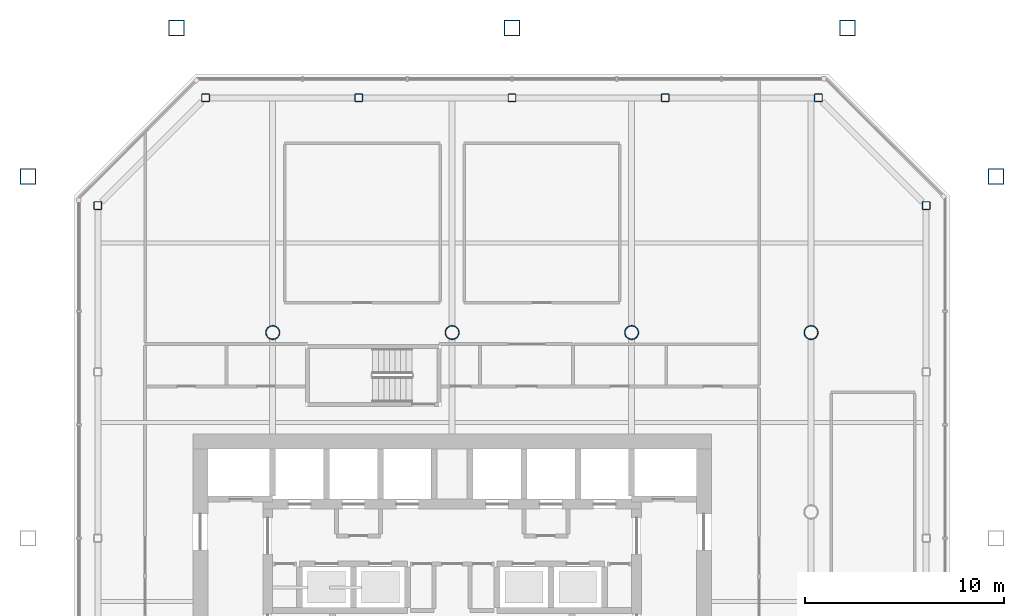
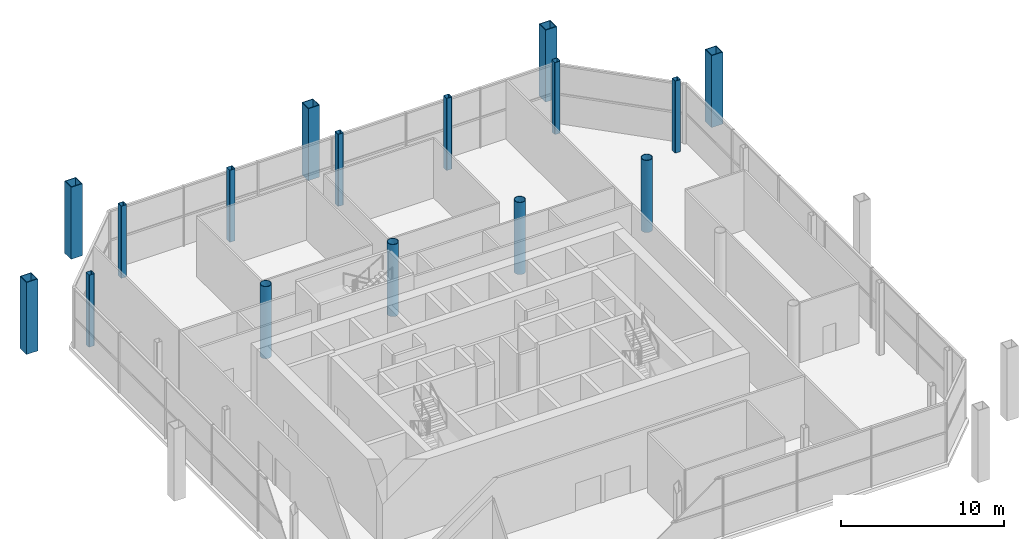
# One storey, part 2 of 12: 16 columns.
"""IFC4 building model written with IfcOpenShell, lengths in metres."""

import ifcopenshell
import ifcopenshell.guid

model = None  # the IFC model being written
_history = None  # IfcOwnerHistory: only IFC2X3 demands one
_inside = {}  # id of a spatial element -> (the spatial element, [elements in it])
_under = {}  # id of a project, library or spatial element -> (it, [spatial elements below it])
_declared = {}  # id of a project -> (the project, [libraries it declares])
_typed = {}  # id of a type object -> (the type object, [elements of that type])
_made_of = {}  # id of a material, layer set ... -> (it, [elements and type objects made of it])


def new_model(schema):
    """Start an empty IFC model of exactly this schema.

    Asked for "IFC4X3", IfcOpenShell would pick the latest addendum, in which some entities
    have other attributes; the version numbers below select the first issue.
    IFC2X3 requires an IfcOwnerHistory on every rooted entity: one is made here for all.
    """
    global model, _history
    if schema == "IFC4X3":
        model = ifcopenshell.file(schema_version=(4, 3, 0, 0))
    else:
        model = ifcopenshell.file(schema=schema)
    _inside.clear()
    _under.clear()
    _declared.clear()
    _typed.clear()
    _made_of.clear()
    _history = None
    if model.schema == "IFC2X3":
        org = make("IfcOrganization", Name="unknown")
        user = make(
            "IfcPersonAndOrganization",
            ThePerson=make("IfcPerson", FamilyName="unknown"),
            TheOrganization=org,
        )
        app = make(
            "IfcApplication",
            ApplicationDeveloper=org,
            Version="unknown",
            ApplicationFullName="unknown",
            ApplicationIdentifier="unknown",
        )
        _history = make(
            "IfcOwnerHistory",
            OwningUser=user,
            OwningApplication=app,
            ChangeAction="ADDED",
            CreationDate=0,
        )
    return model


def make(cls, **values):
    """One entity of the class cls with the attributes given. An attribute that is None is left unset."""
    return model.create_entity(
        cls, **{name: value for name, value in values.items() if value is not None}
    )


def rooted(cls, **values):
    """An entity with a GlobalId (a new one), such as an element, a storey or a relation."""
    return make(cls, GlobalId=ifcopenshell.guid.new(), OwnerHistory=_history, **values)


def si_unit(unit_type, name, prefix=None):
    """IfcSIUnit, for example si_unit("LENGTHUNIT", "METRE", prefix="MILLI")."""
    return make("IfcSIUnit", UnitType=unit_type, Prefix=prefix, Name=name)


def assignment(units):
    """IfcUnitAssignment: the units of a project."""
    return None if units is None else make("IfcUnitAssignment", Units=units)


def point(xyz):
    """IfcCartesianPoint."""
    return None if xyz is None else make("IfcCartesianPoint", Coordinates=xyz)


def direction(xyz):
    """IfcDirection."""
    return None if xyz is None else make("IfcDirection", DirectionRatios=xyz)


def frame(location, z_axis=None, x_axis=None):
    """IfcAxis2Placement3D, a coordinate frame: its origin and axes. An axis left out is left unset."""
    return make(
        "IfcAxis2Placement3D",
        Location=point(location),
        Axis=direction(z_axis),
        RefDirection=direction(x_axis),
    )


def frame_2d(location, x_axis=None):
    """IfcAxis2Placement2D, a coordinate frame in the plane: its origin and x axis."""
    return make(
        "IfcAxis2Placement2D", Location=point(location), RefDirection=direction(x_axis)
    )


def origin():
    """The frame at (0, 0, 0) with its axes left unset."""
    return frame((0.0, 0.0, 0.0))


def origin_2d():
    """The frame at (0, 0) in the plane with its x axis left unset."""
    return frame_2d((0.0, 0.0))


def place(relative_to, where):
    """IfcLocalPlacement: puts the frame where relative to a parent placement (None: the world)."""
    return make(
        "IfcLocalPlacement", PlacementRelTo=relative_to, RelativePlacement=where
    )


def context(
    kind, dimensions, precision=None, world=None, true_north=None, identifier=None
):
    """IfcGeometricRepresentationContext, for example the 3D "Model" context."""
    return make(
        "IfcGeometricRepresentationContext",
        ContextIdentifier=identifier,
        ContextType=kind,
        CoordinateSpaceDimension=dimensions,
        Precision=precision,
        WorldCoordinateSystem=world,
        TrueNorth=true_north,
    )


def subcontext(parent, identifier, kind, view, scale=None):
    """IfcGeometricRepresentationSubContext, for example "Body" below "Model"."""
    return make(
        "IfcGeometricRepresentationSubContext",
        ContextIdentifier=identifier,
        ContextType=kind,
        ParentContext=parent,
        TargetScale=scale,
        TargetView=view,
    )


def project(units=None, contexts=None):
    """IfcProject with its units and contexts."""
    return rooted(
        "IfcProject",
        Name="project",
        RepresentationContexts=contexts,
        UnitsInContext=assignment(units),
    )


def spatial(cls, under=None, at=None, **own):
    """A site, building, storey or space (cls), placed at a placement, below another one or the project."""
    s = rooted(cls, ObjectPlacement=at, **own)
    if under is not None:
        _under.setdefault(under.id(), (under, []))[1].append(s)
    return s


def profile(cls, at=None, kind="AREA", **sizes):
    """A parametric profile (cls). Its sizes go by their IFC names, for example OverallWidth=200.0."""
    return make(cls, ProfileType=kind, Position=at, **sizes)


def hollow_rectangle(**sizes):
    """IfcRectangleHollowProfileDef."""
    return profile("IfcRectangleHollowProfileDef", **sizes)


def hollow_circle(**sizes):
    """IfcCircleHollowProfileDef."""
    return profile("IfcCircleHollowProfileDef", **sizes)


def extrude(swept, where, along, depth):
    """IfcExtrudedAreaSolid: the profile swept, set in the frame where, extruded along a direction by depth."""
    return make(
        "IfcExtrudedAreaSolid",
        SweptArea=swept,
        Position=where,
        ExtrudedDirection=direction(along),
        Depth=depth,
    )


def shape(context_of_items, identifier, shape_type, items):
    """IfcShapeRepresentation: the items that make up one representation, for example the "Body"."""
    return make(
        "IfcShapeRepresentation",
        ContextOfItems=context_of_items,
        RepresentationIdentifier=identifier,
        RepresentationType=shape_type,
        Items=items,
    )


def material(Name=None, Category=None):
    """IfcMaterial."""
    return make("IfcMaterial", Name=Name, Category=Category)


def material_profile(
    of_material, cross_section, Name=None, Category=None, Priority=None
):
    """IfcMaterialProfile: a cross section and its material."""
    return make(
        "IfcMaterialProfile",
        Name=Name,
        Material=of_material,
        Profile=cross_section,
        Priority=Priority,
        Category=Category,
    )


def profile_set(profiles, Name=None, composite=None):
    """IfcMaterialProfileSet."""
    return make(
        "IfcMaterialProfileSet",
        Name=Name,
        MaterialProfiles=profiles,
        CompositeProfile=composite,
    )


def made_of(thing, what):
    """Note that an element or type object is made of a material, layer set ...; save() writes the relation."""
    if what is not None:
        _made_of.setdefault(what.id(), (what, []))[1].append(thing)
    return thing


def type_object(cls, material=None, **own):
    """A type object (cls), such as IfcWallType, which elements share."""
    return made_of(rooted(cls, **own), material)


def element(
    cls,
    number,
    at=None,
    inside=None,
    cuts=None,
    type_object=None,
    material=None,
    context=None,
    identifier="Body",
    shape_type=None,
    held_by="IfcProductDefinitionShape",
    body=None,
    shapes=None,
    **own,
):
    """One element of the class cls, such as IfcWall. Its Tag is "e" and its number.

    at: its placement. inside: the storey or other place that contains it. cuts: it is an
    opening in that element (IfcRelVoidsElement). A single representation is given by context,
    identifier, shape_type and body (its items); several are given by shapes. held_by: the class
    of the entity that holds the representations. save() writes the other relations.
    """
    e = rooted(cls, Tag="e%d" % number, ObjectPlacement=at, **own)
    if body is not None:
        shapes = [shape(context, identifier, shape_type, body)]
    if shapes is not None:
        e.Representation = make(held_by, Representations=shapes)
    if inside is not None:
        _inside.setdefault(inside.id(), (inside, []))[1].append(e)
    if cuts is not None:
        rooted(
            "IfcRelVoidsElement", RelatingBuildingElement=cuts, RelatedOpeningElement=e
        )
    if type_object is not None:
        _typed.setdefault(type_object.id(), (type_object, []))[1].append(e)
    return made_of(e, material)


def aggregate(whole, parts):
    """IfcRelAggregates: a whole, such as a stair, and the parts it consists of."""
    return rooted("IfcRelAggregates", RelatingObject=whole, RelatedObjects=parts)


def save(model, path):
    """Write the relations noted so far, then the file.

    IfcRelAggregates (storeys below a building ...), IfcRelContainedInSpatialStructure (elements
    in a storey), IfcRelDefinesByType, IfcRelAssociatesMaterial and IfcRelDeclares: one each for
    every whole, place, type object, material and project.
    """
    for whole, parts in _under.values():
        aggregate(whole, parts)
    for where, things in _inside.values():
        rooted(
            "IfcRelContainedInSpatialStructure",
            RelatedElements=things,
            RelatingStructure=where,
        )
    for kind, things in _typed.values():
        rooted("IfcRelDefinesByType", RelatedObjects=things, RelatingType=kind)
    for what, things in _made_of.values():
        rooted("IfcRelAssociatesMaterial", RelatedObjects=things, RelatingMaterial=what)
    for by, libraries in _declared.values():
        rooted("IfcRelDeclares", RelatingContext=by, RelatedDefinitions=libraries)
    model.write(path)


model = new_model("IFC4")

# Units and contexts
model_context = context("Model", 3, precision=1e-05, world=origin(), true_north=direction((0.0, 1.0)))
body_context = subcontext(model_context, "Body", "Model", "MODEL_VIEW")
ifc_project = project(units=[si_unit("LENGTHUNIT", "METRE"), si_unit("AREAUNIT", "SQUARE_METRE"), si_unit("VOLUMEUNIT", "CUBIC_METRE"), si_unit("PLANEANGLEUNIT", "RADIAN"), si_unit("MASSUNIT", "GRAM", prefix="KILO")], contexts=[model_context])

# Site, building, storey
site_placement = place(None, origin())
site = spatial("IfcSite", under=ifc_project, at=site_placement, CompositionType="ELEMENT")
building_placement = place(site_placement, origin())
building = spatial("IfcBuilding", under=site, at=building_placement, Name="Tskaro Facet Tower", CompositionType="ELEMENT")
storey_placement = place(building_placement, frame((0.0, 0.0, 162.300048828125)))
storey = spatial("IfcBuildingStorey", under=building, at=storey_placement, Name="L40", CompositionType="ELEMENT", Elevation=162.300048828125)

# Columns
ifc_material_1 = material(Name="Steel S460M", Category="steel")
ifc_material_profile_1 = material_profile(ifc_material_1, hollow_rectangle(XDim=0.800048828125, YDim=0.800048828125, WallThickness=0.050048828125, at=origin_2d()), Name="BOX 800x800x50")
ifc_profile_set_1 = profile_set([ifc_material_profile_1], Name="Steel S460M")
column_type_1 = type_object("IfcColumnType", Name="BOX 800x800x50 mega column", PredefinedType="COLUMN", material=ifc_profile_set_1)
for number, where, z_axis, x_axis, name in (
    (1, (27.27587890625, 16.819091796875, 0.0), (0.0, 0.0, 1.0), (1.0, 0.0, 0.0), "BOX 800x800x50 MC06/3T"),
    (2, (19.819091796875, 24.27587890625, 0.0), (0.0, 0.0, 1.0), (1.0, 0.0, 0.0), "BOX 800x800x50 MC07/3T"),
    (3, (3.0, 24.27587890625, 0.0), (0.0, 0.0, 1.0), (1.0, 0.0, 0.0), "BOX 800x800x50 MC08/3T"),
    (4, (-13.819091796875, 24.27587890625, 0.0), (0.0, 0.0, 1.0), (1.0, 0.0, 0.0), "BOX 800x800x50 MC09/3T"),
    (5, (-21.27587890625, 16.819091796875, 0.0), (0.0, 0.0, 1.0), (1.0, 0.0, 0.0), "BOX 800x800x50 MC10/3T"),
):
    element("IfcColumn", number, at=place(storey_placement, frame(where, z_axis=z_axis, x_axis=x_axis)), inside=storey, type_object=column_type_1, Name=name, PredefinedType="COLUMN", context=body_context, shape_type="SweptSolid", body=[
        extrude(hollow_rectangle(XDim=0.800048828125, YDim=0.800048828125, WallThickness=0.050048828125, at=origin_2d()), origin(), (0.0, 0.0, 1.0), 5.39990234375),
    ])
ifc_material_2 = material(Name="Steel S355J2H", Category="steel")
ifc_material_profile_2 = material_profile(ifc_material_2, hollow_circle(Radius=0.35546875, WallThickness=0.031982421875, at=origin_2d()), Name="CHS 711x32")
ifc_profile_set_2 = profile_set([ifc_material_profile_2], Name="Steel S355J2H")
column_type_2 = type_object("IfcColumnType", Name="CHS 711x32 interior column", PredefinedType="COLUMN", material=ifc_profile_set_2)
for number, where, z_axis, x_axis, name in (
    (6, (-9.0, 9.0, 0.0), (0.0, 0.0, 1.0), (1.0, 0.0, 0.0), "CHS 711x32 C3E/3"),
    (7, (0.0, 9.0, 0.0), (0.0, 0.0, 1.0), (1.0, 0.0, 0.0), "CHS 711x32 C4E/3"),
    (8, (9.0, 9.0, 0.0), (0.0, 0.0, 1.0), (1.0, 0.0, 0.0), "CHS 711x32 C5E/3"),
    (9, (18.0, 9.0, 0.0), (0.0, 0.0, 1.0), (1.0, 0.0, 0.0), "CHS 711x32 C6E/3"),
):
    element("IfcColumn", number, at=place(storey_placement, frame(where, z_axis=z_axis, x_axis=x_axis)), inside=storey, type_object=column_type_2, Name=name, PredefinedType="COLUMN", context=body_context, shape_type="SweptSolid", body=[
        extrude(hollow_circle(Radius=0.35546875, WallThickness=0.031982421875, at=origin_2d()), origin(), (0.0, 0.0, 1.0), 5.39990234375),
    ])
ifc_material_profile_3 = material_profile(ifc_material_2, hollow_rectangle(XDim=0.39990234375, YDim=0.39990234375, WallThickness=0.02001953125, InnerFilletRadius=0.030029296875, OuterFilletRadius=0.050048828125, at=origin_2d()), Name="SHS 400x400x20")
ifc_profile_set_3 = profile_set([ifc_material_profile_3], Name="Steel S355J2H")
column_type_3 = type_object("IfcColumnType", Name="SHS 400x400x20 ring column", PredefinedType="COLUMN", material=ifc_profile_set_3)
for number, where, z_axis, x_axis, name in (
    (10, (23.77392578125, 15.367919921875, 0.0), (0.0, 0.0, 1.0), (1.0, 0.0, 0.0), "SHS 400x400x20 RNE-1/3"),
    (11, (18.367919921875, 20.77392578125, 0.0), (0.0, 0.0, 1.0), (1.0, 0.0, 0.0), "SHS 400x400x20 RN-1/3"),
    (12, (10.68408203125, 20.77392578125, 0.0), (0.0, 0.0, 1.0), (1.0, 0.0, 0.0), "SHS 400x400x20 RN-2/3"),
    (13, (3.0, 20.77392578125, 0.0), (0.0, 0.0, 1.0), (1.0, 0.0, 0.0), "SHS 400x400x20 RN-3/3"),
    (14, (-4.68408203125, 20.77392578125, 0.0), (0.0, 0.0, 1.0), (1.0, 0.0, 0.0), "SHS 400x400x20 RN-4/3"),
    (15, (-12.367919921875, 20.77392578125, 0.0), (0.0, 0.0, 1.0), (1.0, 0.0, 0.0), "SHS 400x400x20 RNW-1/3"),
    (16, (-17.77392578125, 15.367919921875, 0.0), (0.0, 0.0, 1.0), (1.0, 0.0, 0.0), "SHS 400x400x20 RW-1/3"),
):
    element("IfcColumn", number, at=place(storey_placement, frame(where, z_axis=z_axis, x_axis=x_axis)), inside=storey, type_object=column_type_3, Name=name, PredefinedType="COLUMN", context=body_context, shape_type="SweptSolid", body=[
        extrude(hollow_rectangle(XDim=0.39990234375, YDim=0.39990234375, WallThickness=0.02001953125, InnerFilletRadius=0.030029296875, OuterFilletRadius=0.050048828125, at=origin_2d()), origin(), (0.0, 0.0, 1.0), 5.39990234375),
    ])

save(model, "model.ifc")
